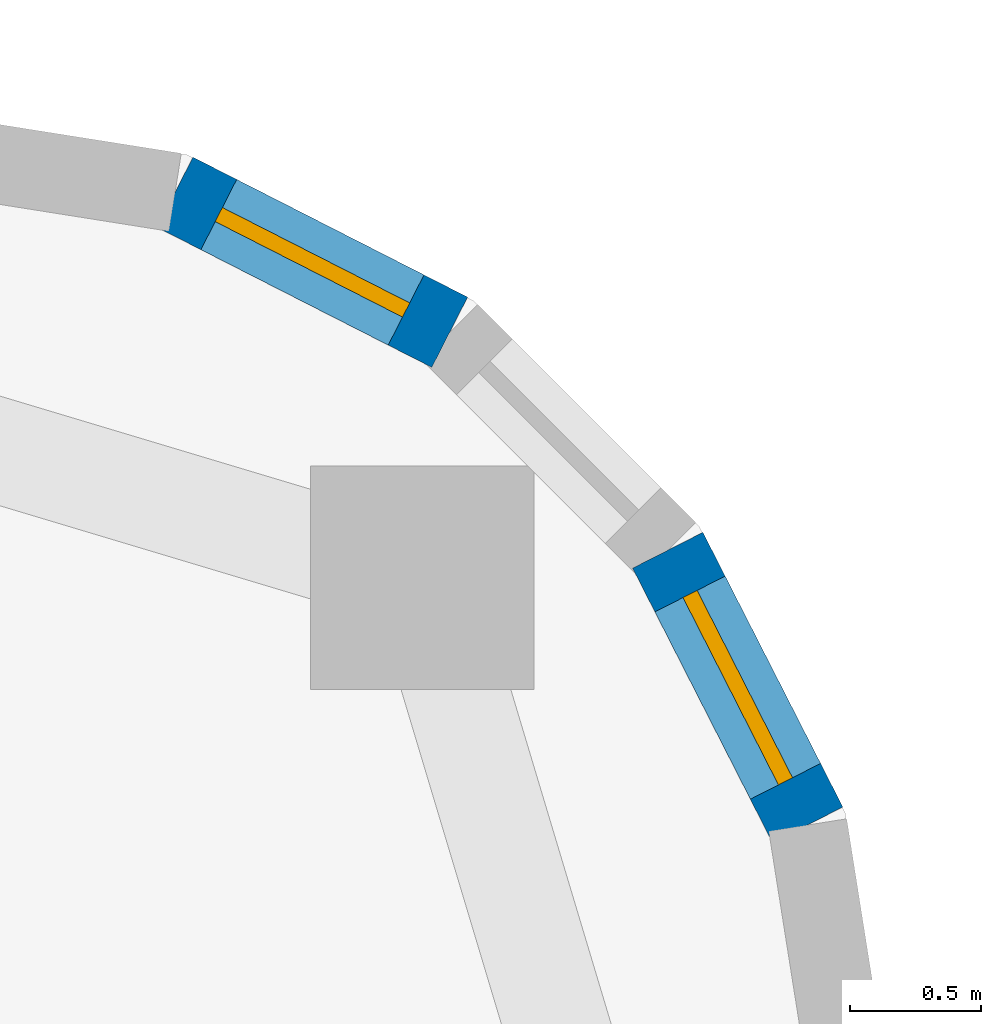
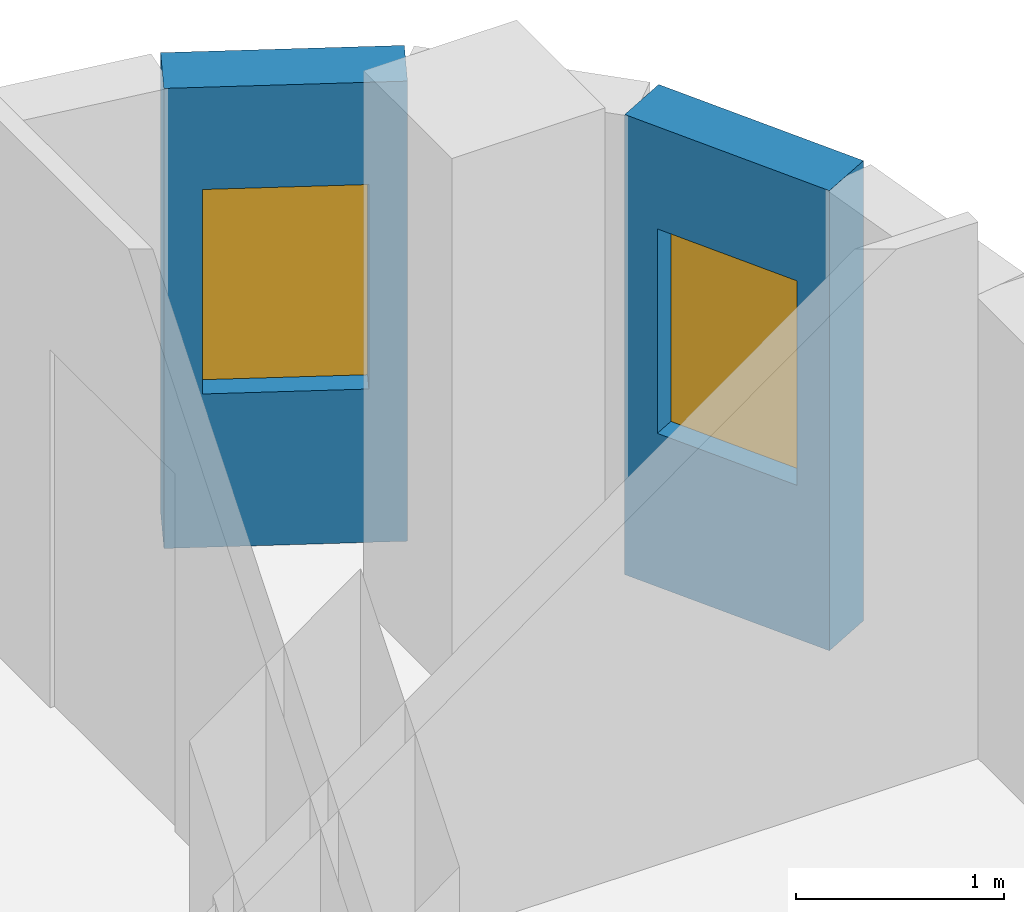
# One storey, part 10 of 14: 2 walls, 2 windows, 2 openings.
"""IFC4 building model written with IfcOpenShell, lengths in metres."""

from ifc_helpers import new_model, si_unit, direction, frame, frame_2d, origin, place, context, subcontext, project, spatial, rectangle, extrude, material, layer, layer_set, type_object, element, fill, save


model = new_model("IFC4")

# Units and contexts
model_context = context("Model", 3, precision=1e-05, world=origin(), true_north=direction((0.0, 1.0)))
body_context = subcontext(model_context, "Body", "Model", "MODEL_VIEW")
ifc_project = project(units=[si_unit("LENGTHUNIT", "METRE"), si_unit("AREAUNIT", "SQUARE_METRE"), si_unit("VOLUMEUNIT", "CUBIC_METRE"), si_unit("PLANEANGLEUNIT", "RADIAN"), si_unit("MASSUNIT", "GRAM", prefix="KILO")], contexts=[model_context])

# Site, building, storey
site_placement = place(None, origin())
site = spatial("IfcSite", under=ifc_project, at=site_placement, CompositionType="ELEMENT")
building_placement = place(site_placement, origin())
building = spatial("IfcBuilding", under=site, at=building_placement, Name="Ludao Terraces", CompositionType="ELEMENT")
storey_placement = place(building_placement, frame((0.0, 0.0, 110.10009765625)))
storey = spatial("IfcBuildingStorey", under=building, at=storey_placement, Name="L30", CompositionType="ELEMENT", Elevation=110.10009765625)

# Wall, opening, window
ifc_material_1 = material(Name="Granite cladding", Category="masonry")
ifc_layer_1 = layer(ifc_material_1, 0.0400390625, Category="stone")
ifc_material_2 = material(Name="Mineral wool")
ifc_layer_2 = layer(ifc_material_2, 0.06005859375)
ifc_material_3 = material(Name="Concrete C40", Category="concrete")
ifc_layer_3 = layer(ifc_material_3, 0.199951171875, Category="concrete")
ifc_layer_set_1 = layer_set([ifc_layer_1, ifc_layer_2, ifc_layer_3], Name="ENV Stone-clad wall 300")
wall_type = type_object("IfcWallType", Name="ENV Stone-clad wall 300", PredefinedType="SOLIDWALL", material=ifc_layer_set_1)
wall_1_placement = place(storey_placement, frame((104.16650390625, 81.7587890625, 0.0), z_axis=(0.0, 0.0, 1.0), x_axis=(-0.454025524128, 0.890988677504, 0.0)))
wall_1 = element("IfcWall", 1, at=wall_1_placement, inside=storey, type_object=wall_type, Name="EW-L30-NE2", PredefinedType="SOLIDWALL", context=body_context, shape_type="SweptSolid", body=[
    extrude(rectangle(XDim=1.17333984375, YDim=0.300048828125, at=frame_2d((0.586669921875, 0.0))), origin(), (0.0, 0.0, 1.0), 2.699951171875),
])
opening_1_placement = place(wall_1_placement, frame((0.1865234375, 0.0, 0.89990234375)))
opening_1 = element("IfcOpeningElement", 2, at=opening_1_placement, cuts=wall_1, Name="Opening W3", PredefinedType="OPENING", context=body_context, shape_type="SweptSolid", body=[
    extrude(rectangle(XDim=0.800048828125, YDim=1.199951171875, at=frame_2d((0.39990234375, 0.60009765625))), frame((0.0, 0.16015625, 0.0), z_axis=(0.0, -1.0, 0.0), x_axis=(1.0, 0.0, 0.0)), (0.0, 0.0, 1.0), 0.320068359375),
])
ifc_material_4 = material(Name="Clear glass in aluminium frame", Category="aluminium")
ifc_layer_4 = layer(ifc_material_4, 0.06005859375)
ifc_layer_set_2 = layer_set([ifc_layer_4], Name="ENV Window W3 800x1200")
window_type = type_object("IfcWindowType", Name="ENV Window W3 800x1200", PartitioningType="SINGLE_PANEL", PredefinedType="WINDOW", material=ifc_layer_set_2)
window_1_placement = place(opening_1_placement, origin())
window_1 = element("IfcWindow", 3, at=window_1_placement, inside=storey, type_object=window_type, Name="W-L30-NE2", OverallHeight=1.199951171875, OverallWidth=0.800048828125, PartitioningType="SINGLE_PANEL", PredefinedType="WINDOW", context=body_context, shape_type="SweptSolid", body=[
    extrude(rectangle(XDim=0.800048828125, YDim=1.199951171875, at=frame_2d((0.39990234375, 0.60009765625))), frame((0.0, 0.030029296875, 0.0), z_axis=(0.0, -1.0, 0.0), x_axis=(1.0, 0.0, 0.0)), (0.0, 0.0, 1.0), 0.06005859375),
])
fill(opening_1, window_1)

wall_2_placement = place(storey_placement, frame((102.80419921875, 83.6337890625, 0.0), z_axis=(0.0, 0.0, 1.0), x_axis=(-0.890988677504, 0.454025524128, 0.0)))
wall_2 = element("IfcWall", 4, at=wall_2_placement, inside=storey, type_object=wall_type, Name="EW-L30-NE4", PredefinedType="SOLIDWALL", context=body_context, shape_type="SweptSolid", body=[
    extrude(rectangle(XDim=1.17333984375, YDim=0.300048828125, at=frame_2d((0.586669921875, 0.0))), origin(), (0.0, 0.0, 1.0), 2.699951171875),
])
opening_2_placement = place(wall_2_placement, frame((0.1865234375, 0.0, 0.89990234375)))
opening_2 = element("IfcOpeningElement", 5, at=opening_2_placement, cuts=wall_2, Name="Opening W3", PredefinedType="OPENING", context=body_context, shape_type="SweptSolid", body=[
    extrude(rectangle(XDim=0.800048828125, YDim=1.199951171875, at=frame_2d((0.39990234375, 0.60009765625))), frame((0.0, 0.16015625, 0.0), z_axis=(0.0, -1.0, 0.0), x_axis=(1.0, 0.0, 0.0)), (0.0, 0.0, 1.0), 0.320068359375),
])
window_2_placement = place(opening_2_placement, origin())
window_2 = element("IfcWindow", 6, at=window_2_placement, inside=storey, type_object=window_type, Name="W-L30-NE4", OverallHeight=1.199951171875, OverallWidth=0.800048828125, PartitioningType="SINGLE_PANEL", PredefinedType="WINDOW", context=body_context, shape_type="SweptSolid", body=[
    extrude(rectangle(XDim=0.800048828125, YDim=1.199951171875, at=frame_2d((0.39990234375, 0.60009765625))), frame((0.0, 0.030029296875, 0.0), z_axis=(0.0, -1.0, 0.0), x_axis=(1.0, 0.0, 0.0)), (0.0, 0.0, 1.0), 0.06005859375),
])
fill(opening_2, window_2)

save(model, "model.ifc")
